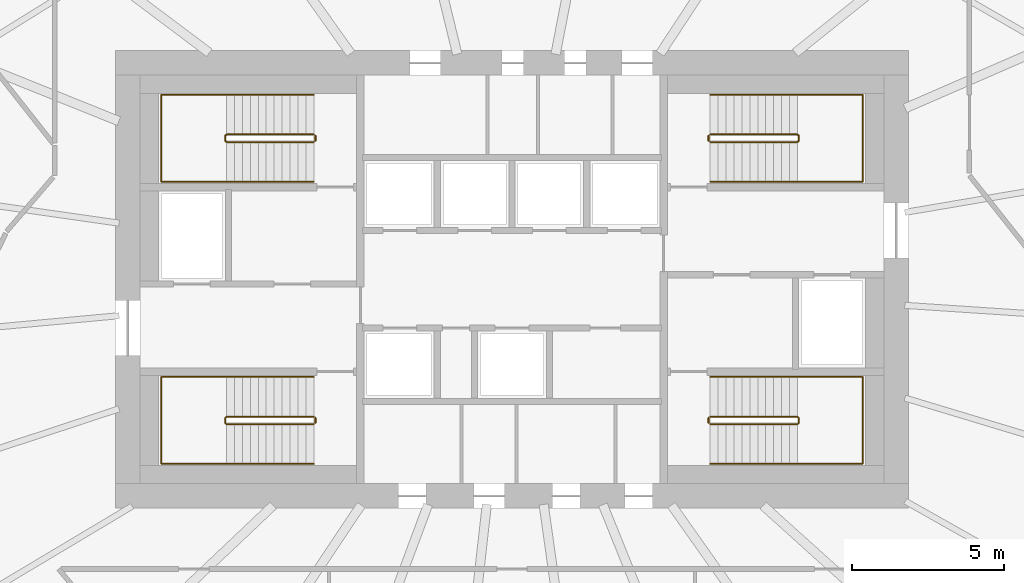
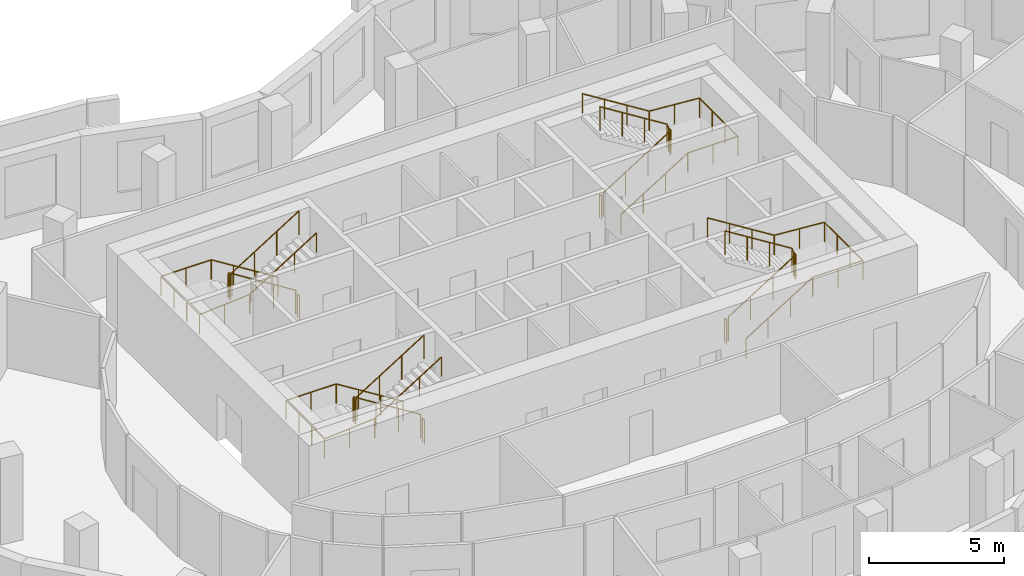
# One storey, part 10 of 10: 12 railings.
"""IFC4 building model written with IfcOpenShell, lengths in metres."""

from ifc_helpers import new_model, si_unit, direction, frame, origin, origin_2d, place, context, subcontext, project, spatial, circle, extrude, material, type_object, element, save


model = new_model("IFC4")

# Units and contexts
model_context = context("Model", 3, precision=1e-05, world=origin(), true_north=direction((0.0, 1.0)))
body_context = subcontext(model_context, "Body", "Model", "MODEL_VIEW")
ifc_project = project(units=[si_unit("LENGTHUNIT", "METRE"), si_unit("AREAUNIT", "SQUARE_METRE"), si_unit("VOLUMEUNIT", "CUBIC_METRE"), si_unit("PLANEANGLEUNIT", "RADIAN"), si_unit("MASSUNIT", "GRAM", prefix="KILO")], contexts=[model_context])

# Site, building, storey
site_placement = place(None, origin())
site = spatial("IfcSite", under=ifc_project, at=site_placement, CompositionType="ELEMENT")
building_placement = place(site_placement, origin())
building = spatial("IfcBuilding", under=site, at=building_placement, Name="Rubra Terraces Tower", CompositionType="ELEMENT")
storey_placement = place(building_placement, frame((0.0, 0.0, 292.199951171875)))
storey = spatial("IfcBuildingStorey", under=building, at=storey_placement, Name="L72", CompositionType="ELEMENT", Elevation=292.199951171875)

# Railings
ifc_material = material(Name="Stainless steel", Category="steel")
railing_type_1 = type_object("IfcRailingType", Name="Core stair guard 1100", PredefinedType="GUARDRAIL", material=ifc_material)
railing_1_placement = place(storey_placement, frame((-6.5, 0.0, 0.16259765625)))
element("IfcRailing", 1, at=railing_1_placement, inside=storey, type_object=railing_type_1, Name="L72 stair S1 guard 1", PredefinedType="GUARDRAIL", context=body_context, shape_type="SweptSolid", body=[
    extrude(circle(Radius=0.02392578125, at=origin_2d()), frame((0.0, 0.0, 1.076171875), z_axis=(-0.848026770018, 0.0, 0.529953391661), x_axis=(0.0, -1.0, 0.0)), (0.0, 0.0, 1.0), 3.37255859375),
    extrude(circle(Radius=0.02392578125, at=origin_2d()), frame((-2.860107421875, 0.0, 2.86328125), z_axis=(-0.705375805398, -0.708833529934, 0.0), x_axis=(0.708833529934, -0.705375805398, 0.0)), (0.0, 0.0, 1.0), 0.070556640625),
    extrude(circle(Radius=0.02392578125, at=origin_2d()), frame((-2.909912109375, -0.050048828125, 2.86328125), z_axis=(0.0, -1.0, 0.0), x_axis=(1.0, 0.0, 0.0)), (0.0, 0.0, 1.0), 0.14990234375),
    extrude(circle(Radius=0.02392578125, at=origin_2d()), frame((-2.909912109375, -0.199951171875, 2.86328125), z_axis=(0.280959487676, -0.282336740067, 0.917250092119), x_axis=(0.708833529934, 0.705375805398, 0.0)), (0.0, 0.0, 1.0), 0.17724609375),
    extrude(circle(Radius=0.02392578125, at=origin_2d()), frame((-2.860107421875, -0.25, 3.02587890625), z_axis=(0.847994237388, 0.0, 0.530005446535), x_axis=(0.0, 1.0, 0.0)), (0.0, 0.0, 1.0), 3.372802734375),
    extrude(circle(Radius=0.02099609375, at=origin_2d()), origin(), (0.0, 0.0, 1.0), 1.052001953125),
    extrude(circle(Radius=0.02099609375, at=origin_2d()), frame((-0.953369140625, 0.0, 0.595703125)), (0.0, 0.0, 1.0), 1.052001953125),
    extrude(circle(Radius=0.02099609375, at=origin_2d()), frame((-1.90673828125, 0.0, 1.191650390625)), (0.0, 0.0, 1.0), 1.052001953125),
    extrude(circle(Radius=0.02099609375, at=origin_2d()), frame((-2.860107421875, 0.0, 1.787353515625)), (0.0, 0.0, 1.0), 1.052001953125),
    extrude(circle(Radius=0.02099609375, at=origin_2d()), frame((-2.909912109375, -0.050048828125, 1.787353515625)), (0.0, 0.0, 1.0), 1.052001953125),
    extrude(circle(Radius=0.02099609375, at=origin_2d()), frame((-2.909912109375, -0.199951171875, 1.787353515625)), (0.0, 0.0, 1.0), 1.052001953125),
    extrude(circle(Radius=0.02099609375, at=origin_2d()), frame((-2.860107421875, -0.25, 1.949951171875)), (0.0, 0.0, 1.0), 1.052001953125),
    extrude(circle(Radius=0.02099609375, at=origin_2d()), frame((-1.90673828125, -0.25, 2.5458984375)), (0.0, 0.0, 1.0), 1.052001953125),
    extrude(circle(Radius=0.02099609375, at=origin_2d()), frame((-0.953369140625, -0.25, 3.1416015625)), (0.0, 0.0, 1.0), 1.052001953125),
    extrude(circle(Radius=0.02099609375, at=origin_2d()), frame((0.0, -0.25, 3.737548828125)), (0.0, 0.0, 1.0), 1.052001953125),
])
railing_2_placement = place(storey_placement, frame((-6.449951171875, -0.050048828125, 0.0)))
element("IfcRailing", 2, at=railing_2_placement, inside=storey, type_object=railing_type_1, Name="L72 stair S1 guard 2", PredefinedType="GUARDRAIL", context=body_context, shape_type="SweptSolid", body=[
    extrude(circle(Radius=0.02392578125, at=origin_2d()), frame((0.0, 0.0, 1.076171875), z_axis=(0.0, -1.0, 0.0), x_axis=(1.0, 0.0, 0.0)), (0.0, 0.0, 1.0), 0.14990234375),
    extrude(circle(Radius=0.02099609375, at=origin_2d()), origin(), (0.0, 0.0, 1.0), 1.052001953125),
    extrude(circle(Radius=0.02099609375, at=origin_2d()), frame((0.0, -0.14990234375, 0.0)), (0.0, 0.0, 1.0), 1.052001953125),
])
railing_3_placement = place(storey_placement, frame((-6.5, 9.25, 0.16259765625)))
element("IfcRailing", 3, at=railing_3_placement, inside=storey, type_object=railing_type_1, Name="L72 stair S2 guard 1", PredefinedType="GUARDRAIL", context=body_context, shape_type="SweptSolid", body=[
    extrude(circle(Radius=0.02392578125, at=origin_2d()), frame((0.0, 0.0, 1.076171875), z_axis=(-0.848026770018, 0.0, 0.529953391661), x_axis=(0.0, -1.0, 0.0)), (0.0, 0.0, 1.0), 3.37255859375),
    extrude(circle(Radius=0.02392578125, at=origin_2d()), frame((-2.860107421875, 0.0, 2.86328125), z_axis=(-0.705375805398, -0.708833529934, 0.0), x_axis=(0.708833529934, -0.705375805398, 0.0)), (0.0, 0.0, 1.0), 0.070556640625),
    extrude(circle(Radius=0.02392578125, at=origin_2d()), frame((-2.909912109375, -0.050048828125, 2.86328125), z_axis=(0.0, -1.0, 0.0), x_axis=(1.0, 0.0, 0.0)), (0.0, 0.0, 1.0), 0.14990234375),
    extrude(circle(Radius=0.02392578125, at=origin_2d()), frame((-2.909912109375, -0.199951171875, 2.86328125), z_axis=(0.280959487676, -0.282336740067, 0.917250092119), x_axis=(0.708833529934, 0.705375805398, 0.0)), (0.0, 0.0, 1.0), 0.17724609375),
    extrude(circle(Radius=0.02392578125, at=origin_2d()), frame((-2.860107421875, -0.25, 3.02587890625), z_axis=(0.847994237388, 0.0, 0.530005446535), x_axis=(0.0, 1.0, 0.0)), (0.0, 0.0, 1.0), 3.372802734375),
    extrude(circle(Radius=0.02099609375, at=origin_2d()), origin(), (0.0, 0.0, 1.0), 1.052001953125),
    extrude(circle(Radius=0.02099609375, at=origin_2d()), frame((-0.953369140625, 0.0, 0.595703125)), (0.0, 0.0, 1.0), 1.052001953125),
    extrude(circle(Radius=0.02099609375, at=origin_2d()), frame((-1.90673828125, 0.0, 1.191650390625)), (0.0, 0.0, 1.0), 1.052001953125),
    extrude(circle(Radius=0.02099609375, at=origin_2d()), frame((-2.860107421875, 0.0, 1.787353515625)), (0.0, 0.0, 1.0), 1.052001953125),
    extrude(circle(Radius=0.02099609375, at=origin_2d()), frame((-2.909912109375, -0.050048828125, 1.787353515625)), (0.0, 0.0, 1.0), 1.052001953125),
    extrude(circle(Radius=0.02099609375, at=origin_2d()), frame((-2.909912109375, -0.199951171875, 1.787353515625)), (0.0, 0.0, 1.0), 1.052001953125),
    extrude(circle(Radius=0.02099609375, at=origin_2d()), frame((-2.860107421875, -0.25, 1.949951171875)), (0.0, 0.0, 1.0), 1.052001953125),
    extrude(circle(Radius=0.02099609375, at=origin_2d()), frame((-1.90673828125, -0.25, 2.5458984375)), (0.0, 0.0, 1.0), 1.052001953125),
    extrude(circle(Radius=0.02099609375, at=origin_2d()), frame((-0.953369140625, -0.25, 3.1416015625)), (0.0, 0.0, 1.0), 1.052001953125),
    extrude(circle(Radius=0.02099609375, at=origin_2d()), frame((0.0, -0.25, 3.737548828125)), (0.0, 0.0, 1.0), 1.052001953125),
])
railing_4_placement = place(storey_placement, frame((-6.449951171875, 9.199951171875, 0.0)))
element("IfcRailing", 4, at=railing_4_placement, inside=storey, type_object=railing_type_1, Name="L72 stair S2 guard 2", PredefinedType="GUARDRAIL", context=body_context, shape_type="SweptSolid", body=[
    extrude(circle(Radius=0.02392578125, at=origin_2d()), frame((0.0, 0.0, 1.076171875), z_axis=(0.0, -1.0, 0.0), x_axis=(1.0, 0.0, 0.0)), (0.0, 0.0, 1.0), 0.14990234375),
    extrude(circle(Radius=0.02099609375, at=origin_2d()), origin(), (0.0, 0.0, 1.0), 1.052001953125),
    extrude(circle(Radius=0.02099609375, at=origin_2d()), frame((0.0, -0.14990234375, 0.0)), (0.0, 0.0, 1.0), 1.052001953125),
])
railing_5_placement = place(storey_placement, frame((6.5, 9.0, 0.16259765625)))
element("IfcRailing", 5, at=railing_5_placement, inside=storey, type_object=railing_type_1, Name="L72 stair S3 guard 1", PredefinedType="GUARDRAIL", context=body_context, shape_type="SweptSolid", body=[
    extrude(circle(Radius=0.02392578125, at=origin_2d()), frame((0.0, 0.0, 1.076171875), z_axis=(0.848026770018, 0.0, 0.529953391661), x_axis=(0.0, 1.0, 0.0)), (0.0, 0.0, 1.0), 3.37255859375),
    extrude(circle(Radius=0.02392578125, at=origin_2d()), frame((2.860107421875, 0.0, 2.86328125), z_axis=(0.705375805398, 0.708833529934, 0.0), x_axis=(-0.708833529934, 0.705375805398, 0.0)), (0.0, 0.0, 1.0), 0.070556640625),
    extrude(circle(Radius=0.02392578125, at=origin_2d()), frame((2.909912109375, 0.050048828125, 2.86328125), z_axis=(0.0, 1.0, 0.0), x_axis=(-1.0, 0.0, 0.0)), (0.0, 0.0, 1.0), 0.14990234375),
    extrude(circle(Radius=0.02392578125, at=origin_2d()), frame((2.909912109375, 0.199951171875, 2.86328125), z_axis=(-0.280959487676, 0.282336740067, 0.917250092119), x_axis=(-0.708833529934, -0.705375805398, 0.0)), (0.0, 0.0, 1.0), 0.17724609375),
    extrude(circle(Radius=0.02392578125, at=origin_2d()), frame((2.860107421875, 0.25, 3.02587890625), z_axis=(-0.847994237388, 0.0, 0.530005446535), x_axis=(0.0, -1.0, 0.0)), (0.0, 0.0, 1.0), 3.372802734375),
    extrude(circle(Radius=0.02099609375, at=origin_2d()), origin(), (0.0, 0.0, 1.0), 1.052001953125),
    extrude(circle(Radius=0.02099609375, at=origin_2d()), frame((0.953369140625, 0.0, 0.595703125)), (0.0, 0.0, 1.0), 1.052001953125),
    extrude(circle(Radius=0.02099609375, at=origin_2d()), frame((1.90673828125, 0.0, 1.191650390625)), (0.0, 0.0, 1.0), 1.052001953125),
    extrude(circle(Radius=0.02099609375, at=origin_2d()), frame((2.860107421875, 0.0, 1.787353515625)), (0.0, 0.0, 1.0), 1.052001953125),
    extrude(circle(Radius=0.02099609375, at=origin_2d()), frame((2.909912109375, 0.050048828125, 1.787353515625)), (0.0, 0.0, 1.0), 1.052001953125),
    extrude(circle(Radius=0.02099609375, at=origin_2d()), frame((2.909912109375, 0.199951171875, 1.787353515625)), (0.0, 0.0, 1.0), 1.052001953125),
    extrude(circle(Radius=0.02099609375, at=origin_2d()), frame((2.860107421875, 0.25, 1.949951171875)), (0.0, 0.0, 1.0), 1.052001953125),
    extrude(circle(Radius=0.02099609375, at=origin_2d()), frame((1.90673828125, 0.25, 2.5458984375)), (0.0, 0.0, 1.0), 1.052001953125),
    extrude(circle(Radius=0.02099609375, at=origin_2d()), frame((0.953369140625, 0.25, 3.1416015625)), (0.0, 0.0, 1.0), 1.052001953125),
    extrude(circle(Radius=0.02099609375, at=origin_2d()), frame((0.0, 0.25, 3.737548828125)), (0.0, 0.0, 1.0), 1.052001953125),
])
railing_6_placement = place(storey_placement, frame((6.449951171875, 9.050048828125, 0.0)))
element("IfcRailing", 6, at=railing_6_placement, inside=storey, type_object=railing_type_1, Name="L72 stair S3 guard 2", PredefinedType="GUARDRAIL", context=body_context, shape_type="SweptSolid", body=[
    extrude(circle(Radius=0.02392578125, at=origin_2d()), frame((0.0, 0.0, 1.076171875), z_axis=(0.0, 1.0, 0.0), x_axis=(-1.0, 0.0, 0.0)), (0.0, 0.0, 1.0), 0.14990234375),
    extrude(circle(Radius=0.02099609375, at=origin_2d()), origin(), (0.0, 0.0, 1.0), 1.052001953125),
    extrude(circle(Radius=0.02099609375, at=origin_2d()), frame((0.0, 0.14990234375, 0.0)), (0.0, 0.0, 1.0), 1.052001953125),
])
railing_7_placement = place(storey_placement, frame((6.5, -0.25, 0.16259765625)))
element("IfcRailing", 7, at=railing_7_placement, inside=storey, type_object=railing_type_1, Name="L72 stair S4 guard 1", PredefinedType="GUARDRAIL", context=body_context, shape_type="SweptSolid", body=[
    extrude(circle(Radius=0.02392578125, at=origin_2d()), frame((0.0, 0.0, 1.076171875), z_axis=(0.848026770018, 0.0, 0.529953391661), x_axis=(0.0, 1.0, 0.0)), (0.0, 0.0, 1.0), 3.37255859375),
    extrude(circle(Radius=0.02392578125, at=origin_2d()), frame((2.860107421875, 0.0, 2.86328125), z_axis=(0.705375805398, 0.708833529934, 0.0), x_axis=(-0.708833529934, 0.705375805398, 0.0)), (0.0, 0.0, 1.0), 0.070556640625),
    extrude(circle(Radius=0.02392578125, at=origin_2d()), frame((2.909912109375, 0.050048828125, 2.86328125), z_axis=(0.0, 1.0, 0.0), x_axis=(-1.0, 0.0, 0.0)), (0.0, 0.0, 1.0), 0.14990234375),
    extrude(circle(Radius=0.02392578125, at=origin_2d()), frame((2.909912109375, 0.199951171875, 2.86328125), z_axis=(-0.280959487676, 0.282336740067, 0.917250092119), x_axis=(-0.708833529934, -0.705375805398, 0.0)), (0.0, 0.0, 1.0), 0.17724609375),
    extrude(circle(Radius=0.02392578125, at=origin_2d()), frame((2.860107421875, 0.25, 3.02587890625), z_axis=(-0.847994237388, 0.0, 0.530005446535), x_axis=(0.0, -1.0, 0.0)), (0.0, 0.0, 1.0), 3.372802734375),
    extrude(circle(Radius=0.02099609375, at=origin_2d()), origin(), (0.0, 0.0, 1.0), 1.052001953125),
    extrude(circle(Radius=0.02099609375, at=origin_2d()), frame((0.953369140625, 0.0, 0.595703125)), (0.0, 0.0, 1.0), 1.052001953125),
    extrude(circle(Radius=0.02099609375, at=origin_2d()), frame((1.90673828125, 0.0, 1.191650390625)), (0.0, 0.0, 1.0), 1.052001953125),
    extrude(circle(Radius=0.02099609375, at=origin_2d()), frame((2.860107421875, 0.0, 1.787353515625)), (0.0, 0.0, 1.0), 1.052001953125),
    extrude(circle(Radius=0.02099609375, at=origin_2d()), frame((2.909912109375, 0.050048828125, 1.787353515625)), (0.0, 0.0, 1.0), 1.052001953125),
    extrude(circle(Radius=0.02099609375, at=origin_2d()), frame((2.909912109375, 0.199951171875, 1.787353515625)), (0.0, 0.0, 1.0), 1.052001953125),
    extrude(circle(Radius=0.02099609375, at=origin_2d()), frame((2.860107421875, 0.25, 1.949951171875)), (0.0, 0.0, 1.0), 1.052001953125),
    extrude(circle(Radius=0.02099609375, at=origin_2d()), frame((1.90673828125, 0.25, 2.5458984375)), (0.0, 0.0, 1.0), 1.052001953125),
    extrude(circle(Radius=0.02099609375, at=origin_2d()), frame((0.953369140625, 0.25, 3.1416015625)), (0.0, 0.0, 1.0), 1.052001953125),
    extrude(circle(Radius=0.02099609375, at=origin_2d()), frame((0.0, 0.25, 3.737548828125)), (0.0, 0.0, 1.0), 1.052001953125),
])
railing_8_placement = place(storey_placement, frame((6.449951171875, -0.199951171875, 0.0)))
element("IfcRailing", 8, at=railing_8_placement, inside=storey, type_object=railing_type_1, Name="L72 stair S4 guard 2", PredefinedType="GUARDRAIL", context=body_context, shape_type="SweptSolid", body=[
    extrude(circle(Radius=0.02392578125, at=origin_2d()), frame((0.0, 0.0, 1.076171875), z_axis=(0.0, 1.0, 0.0), x_axis=(-1.0, 0.0, 0.0)), (0.0, 0.0, 1.0), 0.14990234375),
    extrude(circle(Radius=0.02099609375, at=origin_2d()), origin(), (0.0, 0.0, 1.0), 1.052001953125),
    extrude(circle(Radius=0.02099609375, at=origin_2d()), frame((0.0, 0.14990234375, 0.0)), (0.0, 0.0, 1.0), 1.052001953125),
])
railing_type_2 = type_object("IfcRailingType", Name="Core stair handrail 900", PredefinedType="HANDRAIL", material=ifc_material)
railing_9_placement = place(storey_placement, frame((-6.5, 1.300048828125, 0.16259765625)))
element("IfcRailing", 9, at=railing_9_placement, inside=storey, type_object=railing_type_2, Name="L72 stair S1 handrail 1", PredefinedType="HANDRAIL", context=body_context, shape_type="SweptSolid", body=[
    extrude(circle(Radius=0.02392578125, at=origin_2d()), frame((0.0, 0.0, 0.8759765625), z_axis=(-0.848026770018, 0.0, 0.529953391661), x_axis=(0.0, -1.0, 0.0)), (0.0, 0.0, 1.0), 3.37255859375),
    extrude(circle(Radius=0.02392578125, at=origin_2d()), frame((-2.860107421875, 0.0, 2.6630859375), z_axis=(-1.0, 0.0, 0.0), x_axis=(0.0, -1.0, 0.0)), (0.0, 0.0, 1.0), 2.139892578125),
    extrude(circle(Radius=0.02392578125, at=origin_2d()), frame((-5.0, 0.0, 2.6630859375), z_axis=(0.0, -1.0, 0.0), x_axis=(1.0, 0.0, 0.0)), (0.0, 0.0, 1.0), 2.85009765625),
    extrude(circle(Radius=0.02392578125, at=origin_2d()), frame((-5.0, -2.85009765625, 2.6630859375), z_axis=(0.997125654253, 0.0, 0.075765623016), x_axis=(0.0, 1.0, 0.0)), (0.0, 0.0, 1.0), 2.14599609375),
    extrude(circle(Radius=0.02392578125, at=origin_2d()), frame((-2.860107421875, -2.85009765625, 2.82568359375), z_axis=(0.847994237388, 0.0, 0.530005446535), x_axis=(0.0, 1.0, 0.0)), (0.0, 0.0, 1.0), 3.372802734375),
    extrude(circle(Radius=0.02099609375, at=origin_2d()), origin(), (0.0, 0.0, 1.0), 0.851806640625),
    extrude(circle(Radius=0.02099609375, at=origin_2d()), frame((-0.953369140625, 0.0, 0.595703125)), (0.0, 0.0, 1.0), 0.851806640625),
    extrude(circle(Radius=0.02099609375, at=origin_2d()), frame((-1.90673828125, 0.0, 1.191650390625)), (0.0, 0.0, 1.0), 0.851806640625),
    extrude(circle(Radius=0.02099609375, at=origin_2d()), frame((-2.860107421875, 0.0, 1.787353515625)), (0.0, 0.0, 1.0), 0.851806640625),
    extrude(circle(Radius=0.02099609375, at=origin_2d()), frame((-3.93017578125, 0.0, 1.787353515625)), (0.0, 0.0, 1.0), 0.851806640625),
    extrude(circle(Radius=0.02099609375, at=origin_2d()), frame((-5.0, 0.0, 1.787353515625)), (0.0, 0.0, 1.0), 0.851806640625),
    extrude(circle(Radius=0.02099609375, at=origin_2d()), frame((-5.0, -0.949951171875, 1.787353515625)), (0.0, 0.0, 1.0), 0.851806640625),
    extrude(circle(Radius=0.02099609375, at=origin_2d()), frame((-5.0, -1.900146484375, 1.787353515625)), (0.0, 0.0, 1.0), 0.851806640625),
    extrude(circle(Radius=0.02099609375, at=origin_2d()), frame((-5.0, -2.85009765625, 1.787353515625)), (0.0, 0.0, 1.0), 0.851806640625),
    extrude(circle(Radius=0.02099609375, at=origin_2d()), frame((-3.93017578125, -2.85009765625, 1.86865234375)), (0.0, 0.0, 1.0), 0.851806640625),
    extrude(circle(Radius=0.02099609375, at=origin_2d()), frame((-2.860107421875, -2.85009765625, 1.949951171875)), (0.0, 0.0, 1.0), 0.851806640625),
    extrude(circle(Radius=0.02099609375, at=origin_2d()), frame((-1.90673828125, -2.85009765625, 2.5458984375)), (0.0, 0.0, 1.0), 0.851806640625),
    extrude(circle(Radius=0.02099609375, at=origin_2d()), frame((-0.953369140625, -2.85009765625, 3.1416015625)), (0.0, 0.0, 1.0), 0.851806640625),
    extrude(circle(Radius=0.02099609375, at=origin_2d()), frame((0.0, -2.85009765625, 3.737548828125)), (0.0, 0.0, 1.0), 0.851806640625),
])
railing_10_placement = place(storey_placement, frame((-6.5, 10.550048828125, 0.16259765625)))
element("IfcRailing", 10, at=railing_10_placement, inside=storey, type_object=railing_type_2, Name="L72 stair S2 handrail 1", PredefinedType="HANDRAIL", context=body_context, shape_type="SweptSolid", body=[
    extrude(circle(Radius=0.02392578125, at=origin_2d()), frame((0.0, 0.0, 0.8759765625), z_axis=(-0.848026770018, 0.0, 0.529953391661), x_axis=(0.0, -1.0, 0.0)), (0.0, 0.0, 1.0), 3.37255859375),
    extrude(circle(Radius=0.02392578125, at=origin_2d()), frame((-2.860107421875, 0.0, 2.6630859375), z_axis=(-1.0, 0.0, 0.0), x_axis=(0.0, -1.0, 0.0)), (0.0, 0.0, 1.0), 2.139892578125),
    extrude(circle(Radius=0.02392578125, at=origin_2d()), frame((-5.0, 0.0, 2.6630859375), z_axis=(0.0, -1.0, 0.0), x_axis=(1.0, 0.0, 0.0)), (0.0, 0.0, 1.0), 2.85009765625),
    extrude(circle(Radius=0.02392578125, at=origin_2d()), frame((-5.0, -2.85009765625, 2.6630859375), z_axis=(0.997125654253, 0.0, 0.075765623016), x_axis=(0.0, 1.0, 0.0)), (0.0, 0.0, 1.0), 2.14599609375),
    extrude(circle(Radius=0.02392578125, at=origin_2d()), frame((-2.860107421875, -2.85009765625, 2.82568359375), z_axis=(0.847994237388, 0.0, 0.530005446535), x_axis=(0.0, 1.0, 0.0)), (0.0, 0.0, 1.0), 3.372802734375),
    extrude(circle(Radius=0.02099609375, at=origin_2d()), origin(), (0.0, 0.0, 1.0), 0.851806640625),
    extrude(circle(Radius=0.02099609375, at=origin_2d()), frame((-0.953369140625, 0.0, 0.595703125)), (0.0, 0.0, 1.0), 0.851806640625),
    extrude(circle(Radius=0.02099609375, at=origin_2d()), frame((-1.90673828125, 0.0, 1.191650390625)), (0.0, 0.0, 1.0), 0.851806640625),
    extrude(circle(Radius=0.02099609375, at=origin_2d()), frame((-2.860107421875, 0.0, 1.787353515625)), (0.0, 0.0, 1.0), 0.851806640625),
    extrude(circle(Radius=0.02099609375, at=origin_2d()), frame((-3.93017578125, 0.0, 1.787353515625)), (0.0, 0.0, 1.0), 0.851806640625),
    extrude(circle(Radius=0.02099609375, at=origin_2d()), frame((-5.0, 0.0, 1.787353515625)), (0.0, 0.0, 1.0), 0.851806640625),
    extrude(circle(Radius=0.02099609375, at=origin_2d()), frame((-5.0, -0.949951171875, 1.787353515625)), (0.0, 0.0, 1.0), 0.851806640625),
    extrude(circle(Radius=0.02099609375, at=origin_2d()), frame((-5.0, -1.900146484375, 1.787353515625)), (0.0, 0.0, 1.0), 0.851806640625),
    extrude(circle(Radius=0.02099609375, at=origin_2d()), frame((-5.0, -2.85009765625, 1.787353515625)), (0.0, 0.0, 1.0), 0.851806640625),
    extrude(circle(Radius=0.02099609375, at=origin_2d()), frame((-3.93017578125, -2.85009765625, 1.86865234375)), (0.0, 0.0, 1.0), 0.851806640625),
    extrude(circle(Radius=0.02099609375, at=origin_2d()), frame((-2.860107421875, -2.85009765625, 1.949951171875)), (0.0, 0.0, 1.0), 0.851806640625),
    extrude(circle(Radius=0.02099609375, at=origin_2d()), frame((-1.90673828125, -2.85009765625, 2.5458984375)), (0.0, 0.0, 1.0), 0.851806640625),
    extrude(circle(Radius=0.02099609375, at=origin_2d()), frame((-0.953369140625, -2.85009765625, 3.1416015625)), (0.0, 0.0, 1.0), 0.851806640625),
    extrude(circle(Radius=0.02099609375, at=origin_2d()), frame((0.0, -2.85009765625, 3.737548828125)), (0.0, 0.0, 1.0), 0.851806640625),
])
railing_11_placement = place(storey_placement, frame((6.5, 7.699951171875, 0.16259765625)))
element("IfcRailing", 11, at=railing_11_placement, inside=storey, type_object=railing_type_2, Name="L72 stair S3 handrail 1", PredefinedType="HANDRAIL", context=body_context, shape_type="SweptSolid", body=[
    extrude(circle(Radius=0.02392578125, at=origin_2d()), frame((0.0, 0.0, 0.8759765625), z_axis=(0.848026770018, 0.0, 0.529953391661), x_axis=(0.0, 1.0, 0.0)), (0.0, 0.0, 1.0), 3.37255859375),
    extrude(circle(Radius=0.02392578125, at=origin_2d()), frame((2.860107421875, 0.0, 2.6630859375), z_axis=(1.0, 0.0, 0.0), x_axis=(0.0, 1.0, 0.0)), (0.0, 0.0, 1.0), 2.139892578125),
    extrude(circle(Radius=0.02392578125, at=origin_2d()), frame((5.0, 0.0, 2.6630859375), z_axis=(0.0, 1.0, 0.0), x_axis=(-1.0, 0.0, 0.0)), (0.0, 0.0, 1.0), 2.85009765625),
    extrude(circle(Radius=0.02392578125, at=origin_2d()), frame((5.0, 2.85009765625, 2.6630859375), z_axis=(-0.997125654253, 0.0, 0.075765623016), x_axis=(0.0, -1.0, 0.0)), (0.0, 0.0, 1.0), 2.14599609375),
    extrude(circle(Radius=0.02392578125, at=origin_2d()), frame((2.860107421875, 2.85009765625, 2.82568359375), z_axis=(-0.847994237388, 0.0, 0.530005446535), x_axis=(0.0, -1.0, 0.0)), (0.0, 0.0, 1.0), 3.372802734375),
    extrude(circle(Radius=0.02099609375, at=origin_2d()), origin(), (0.0, 0.0, 1.0), 0.851806640625),
    extrude(circle(Radius=0.02099609375, at=origin_2d()), frame((0.953369140625, 0.0, 0.595703125)), (0.0, 0.0, 1.0), 0.851806640625),
    extrude(circle(Radius=0.02099609375, at=origin_2d()), frame((1.90673828125, 0.0, 1.191650390625)), (0.0, 0.0, 1.0), 0.851806640625),
    extrude(circle(Radius=0.02099609375, at=origin_2d()), frame((2.860107421875, 0.0, 1.787353515625)), (0.0, 0.0, 1.0), 0.851806640625),
    extrude(circle(Radius=0.02099609375, at=origin_2d()), frame((3.93017578125, 0.0, 1.787353515625)), (0.0, 0.0, 1.0), 0.851806640625),
    extrude(circle(Radius=0.02099609375, at=origin_2d()), frame((5.0, 0.0, 1.787353515625)), (0.0, 0.0, 1.0), 0.851806640625),
    extrude(circle(Radius=0.02099609375, at=origin_2d()), frame((5.0, 0.949951171875, 1.787353515625)), (0.0, 0.0, 1.0), 0.851806640625),
    extrude(circle(Radius=0.02099609375, at=origin_2d()), frame((5.0, 1.900146484375, 1.787353515625)), (0.0, 0.0, 1.0), 0.851806640625),
    extrude(circle(Radius=0.02099609375, at=origin_2d()), frame((5.0, 2.85009765625, 1.787353515625)), (0.0, 0.0, 1.0), 0.851806640625),
    extrude(circle(Radius=0.02099609375, at=origin_2d()), frame((3.93017578125, 2.85009765625, 1.86865234375)), (0.0, 0.0, 1.0), 0.851806640625),
    extrude(circle(Radius=0.02099609375, at=origin_2d()), frame((2.860107421875, 2.85009765625, 1.949951171875)), (0.0, 0.0, 1.0), 0.851806640625),
    extrude(circle(Radius=0.02099609375, at=origin_2d()), frame((1.90673828125, 2.85009765625, 2.5458984375)), (0.0, 0.0, 1.0), 0.851806640625),
    extrude(circle(Radius=0.02099609375, at=origin_2d()), frame((0.953369140625, 2.85009765625, 3.1416015625)), (0.0, 0.0, 1.0), 0.851806640625),
    extrude(circle(Radius=0.02099609375, at=origin_2d()), frame((0.0, 2.85009765625, 3.737548828125)), (0.0, 0.0, 1.0), 0.851806640625),
])
railing_12_placement = place(storey_placement, frame((6.5, -1.550048828125, 0.16259765625)))
element("IfcRailing", 12, at=railing_12_placement, inside=storey, type_object=railing_type_2, Name="L72 stair S4 handrail 1", PredefinedType="HANDRAIL", context=body_context, shape_type="SweptSolid", body=[
    extrude(circle(Radius=0.02392578125, at=origin_2d()), frame((0.0, 0.0, 0.8759765625), z_axis=(0.848026770018, 0.0, 0.529953391661), x_axis=(0.0, 1.0, 0.0)), (0.0, 0.0, 1.0), 3.37255859375),
    extrude(circle(Radius=0.02392578125, at=origin_2d()), frame((2.860107421875, 0.0, 2.6630859375), z_axis=(1.0, 0.0, 0.0), x_axis=(0.0, 1.0, 0.0)), (0.0, 0.0, 1.0), 2.139892578125),
    extrude(circle(Radius=0.02392578125, at=origin_2d()), frame((5.0, 0.0, 2.6630859375), z_axis=(0.0, 1.0, 0.0), x_axis=(-1.0, 0.0, 0.0)), (0.0, 0.0, 1.0), 2.85009765625),
    extrude(circle(Radius=0.02392578125, at=origin_2d()), frame((5.0, 2.85009765625, 2.6630859375), z_axis=(-0.997125654253, 0.0, 0.075765623016), x_axis=(0.0, -1.0, 0.0)), (0.0, 0.0, 1.0), 2.14599609375),
    extrude(circle(Radius=0.02392578125, at=origin_2d()), frame((2.860107421875, 2.85009765625, 2.82568359375), z_axis=(-0.847994237388, 0.0, 0.530005446535), x_axis=(0.0, -1.0, 0.0)), (0.0, 0.0, 1.0), 3.372802734375),
    extrude(circle(Radius=0.02099609375, at=origin_2d()), origin(), (0.0, 0.0, 1.0), 0.851806640625),
    extrude(circle(Radius=0.02099609375, at=origin_2d()), frame((0.953369140625, 0.0, 0.595703125)), (0.0, 0.0, 1.0), 0.851806640625),
    extrude(circle(Radius=0.02099609375, at=origin_2d()), frame((1.90673828125, 0.0, 1.191650390625)), (0.0, 0.0, 1.0), 0.851806640625),
    extrude(circle(Radius=0.02099609375, at=origin_2d()), frame((2.860107421875, 0.0, 1.787353515625)), (0.0, 0.0, 1.0), 0.851806640625),
    extrude(circle(Radius=0.02099609375, at=origin_2d()), frame((3.93017578125, 0.0, 1.787353515625)), (0.0, 0.0, 1.0), 0.851806640625),
    extrude(circle(Radius=0.02099609375, at=origin_2d()), frame((5.0, 0.0, 1.787353515625)), (0.0, 0.0, 1.0), 0.851806640625),
    extrude(circle(Radius=0.02099609375, at=origin_2d()), frame((5.0, 0.949951171875, 1.787353515625)), (0.0, 0.0, 1.0), 0.851806640625),
    extrude(circle(Radius=0.02099609375, at=origin_2d()), frame((5.0, 1.900146484375, 1.787353515625)), (0.0, 0.0, 1.0), 0.851806640625),
    extrude(circle(Radius=0.02099609375, at=origin_2d()), frame((5.0, 2.85009765625, 1.787353515625)), (0.0, 0.0, 1.0), 0.851806640625),
    extrude(circle(Radius=0.02099609375, at=origin_2d()), frame((3.93017578125, 2.85009765625, 1.86865234375)), (0.0, 0.0, 1.0), 0.851806640625),
    extrude(circle(Radius=0.02099609375, at=origin_2d()), frame((2.860107421875, 2.85009765625, 1.949951171875)), (0.0, 0.0, 1.0), 0.851806640625),
    extrude(circle(Radius=0.02099609375, at=origin_2d()), frame((1.90673828125, 2.85009765625, 2.5458984375)), (0.0, 0.0, 1.0), 0.851806640625),
    extrude(circle(Radius=0.02099609375, at=origin_2d()), frame((0.953369140625, 2.85009765625, 3.1416015625)), (0.0, 0.0, 1.0), 0.851806640625),
    extrude(circle(Radius=0.02099609375, at=origin_2d()), frame((0.0, 2.85009765625, 3.737548828125)), (0.0, 0.0, 1.0), 0.851806640625),
])

save(model, "model.ifc")
